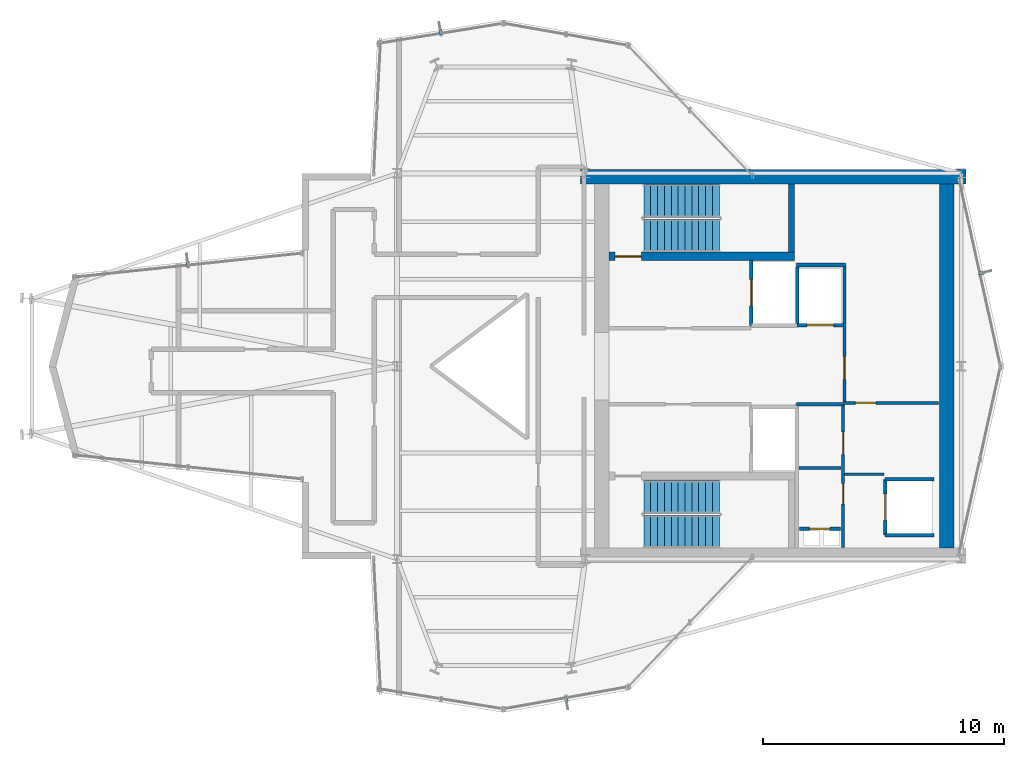
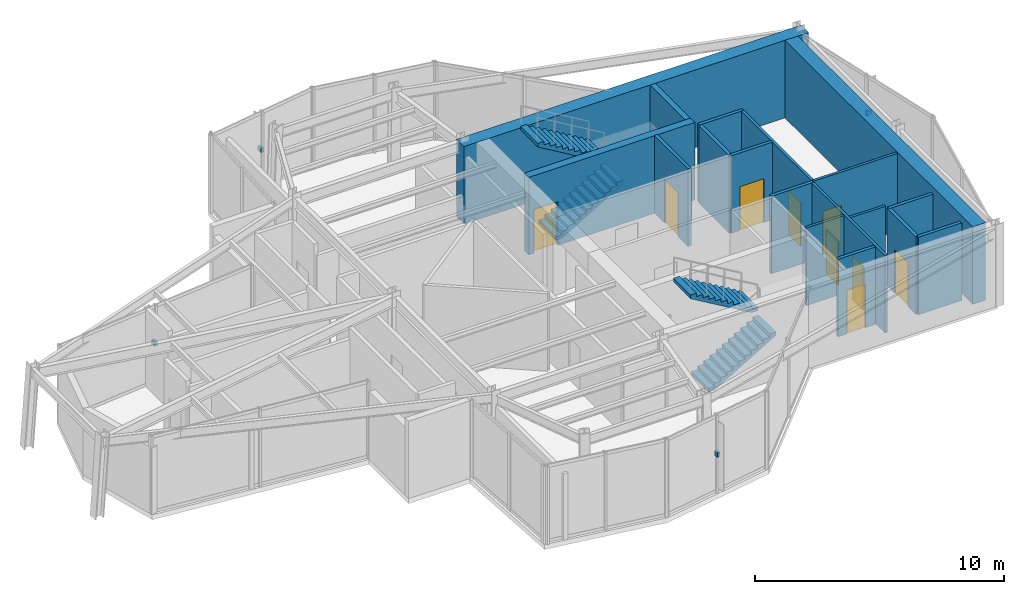
# One storey, part 13 of 14: 18 walls, 9 doors, 4 discrete accessories, 4 stair flights, 9 openings, 2 elements without a shape of their own.
"""IFC4 building model written with IfcOpenShell, lengths in metres."""

from ifc_helpers import new_model, si_unit, direction, frame, frame_2d, origin, origin_2d, place, context, subcontext, project, spatial, polyline, rectangle, outline, extrude, material, layer, layer_set, type_object, element, fill, aggregate, save


model = new_model("IFC4")

# Units and contexts
model_context = context("Model", 3, precision=1e-05, world=origin(), true_north=direction((0.0, 1.0)))
body_context = subcontext(model_context, "Body", "Model", "MODEL_VIEW")
ifc_project = project(units=[si_unit("LENGTHUNIT", "METRE"), si_unit("AREAUNIT", "SQUARE_METRE"), si_unit("VOLUMEUNIT", "CUBIC_METRE"), si_unit("PLANEANGLEUNIT", "RADIAN"), si_unit("MASSUNIT", "GRAM", prefix="KILO")], contexts=[model_context])

# Site, building, storey
site_placement = place(None, origin())
site = spatial("IfcSite", under=ifc_project, at=site_placement, CompositionType="ELEMENT")
building_placement = place(site_placement, origin())
building = spatial("IfcBuilding", under=site, at=building_placement, Name="Veymaron Broadcast Tower", CompositionType="ELEMENT")
storey_placement = place(building_placement, frame((0.0, 0.0, 299.25)))
storey = spatial("IfcBuildingStorey", under=building, at=storey_placement, Name="L70", CompositionType="ELEMENT", Elevation=299.25)

# Wall, opening, door
ifc_material_1 = material(Name="Gypsum fireboard and steel stud framing", Category="steel")
ifc_layer_1 = layer(ifc_material_1, 0.14990234375)
ifc_layer_set_1 = layer_set([ifc_layer_1], Name="Gypsum fireboard and steel stud framing")
wall_type_1 = type_object("IfcWallType", Name="WALL-FIRE-150", PredefinedType="PARTITIONING", material=ifc_layer_set_1)
wall_1_placement = place(storey_placement, frame((45.89501953125, 25.68994140625, 0.0), z_axis=(0.0, 0.0, 1.0), x_axis=(0.0, 1.0, 0.0)))
wall_1 = element("IfcWall", 1, at=wall_1_placement, inside=storey, type_object=wall_type_1, Name="L70 partition IW-L70-SHW-FFL-1", PredefinedType="PARTITIONING", context=body_context, shape_type="SweptSolid", body=[
    extrude(rectangle(XDim=2.719970703125, YDim=0.14990234375, at=frame_2d((1.35986328125, 0.0))), origin(), (0.0, 0.0, 1.0), 3.81005859375),
])
opening_1_placement = place(wall_1_placement, frame((0.81005859375, 0.0, 0.0)))
opening_1 = element("IfcOpeningElement", 2, at=opening_1_placement, cuts=wall_1, Name="Opening LD", PredefinedType="OPENING", context=body_context, shape_type="SweptSolid", body=[
    extrude(rectangle(XDim=1.10009765625, YDim=2.14990234375, at=frame_2d((0.550048828125, 1.074951171875))), frame((0.0, 0.0849609375, 0.0), z_axis=(0.0, -1.0, 0.0), x_axis=(1.0, 0.0, 0.0)), (0.0, 0.0, 1.0), 0.169921875),
])
ifc_material_2 = material(Name="Brushed stainless steel AISI 304", Category="steel")
door_type_1 = type_object("IfcDoorType", Name="DOOR-LIFT-1100", OperationType="DOUBLE_DOOR_SLIDING", PredefinedType="DOOR", material=ifc_material_2)
door_1_placement = place(opening_1_placement, frame((1.10009765625, 0.0, 0.0), z_axis=(0.0, 0.0, 1.0), x_axis=(-1.0, 0.0, 0.0)))
door_1 = element("IfcDoor", 3, at=door_1_placement, inside=storey, type_object=door_type_1, Name="L70 door LD-L70-FFL-1", OperationType="DOUBLE_DOOR_SLIDING", OverallHeight=2.14990234375, OverallWidth=1.10009765625, PredefinedType="DOOR", context=body_context, shape_type="SweptSolid", body=[
    extrude(rectangle(XDim=1.10009765625, YDim=2.14990234375, at=frame_2d((0.550048828125, 1.074951171875))), frame((0.0, 0.02490234375, 0.0), z_axis=(0.0, -1.0, 0.0), x_axis=(1.0, 0.0, 0.0)), (0.0, 0.0, 1.0), 0.050048828125),
])
fill(opening_1, door_1)

wall_2_placement = place(storey_placement, frame((47.7900390625, 25.695068359375, 0.0), z_axis=(0.0, 0.0, 1.0), x_axis=(1.0, 0.0, 0.0)))
wall_2 = element("IfcWall", 4, at=wall_2_placement, inside=storey, type_object=wall_type_1, Name="L70 partition IW-L70-SHS-SL-1", PredefinedType="PARTITIONING", context=body_context, shape_type="SweptSolid", body=[
    extrude(rectangle(XDim=1.919921875, YDim=0.14990234375, at=frame_2d((0.9599609375, 0.0))), origin(), (0.0, 0.0, 1.0), 3.81005859375),
])
opening_2_placement = place(wall_2_placement, frame((0.409912109375, 0.0, 0.0)))
opening_2 = element("IfcOpeningElement", 5, at=opening_2_placement, cuts=wall_2, Name="Opening LD", PredefinedType="OPENING", context=body_context, shape_type="SweptSolid", body=[
    extrude(rectangle(XDim=1.10009765625, YDim=2.14990234375, at=frame_2d((0.550048828125, 1.074951171875))), frame((0.0, 0.0849609375, 0.0), z_axis=(0.0, -1.0, 0.0), x_axis=(1.0, 0.0, 0.0)), (0.0, 0.0, 1.0), 0.169921875),
])
door_2_placement = place(opening_2_placement, frame((1.10009765625, 0.0, 0.0), z_axis=(0.0, 0.0, 1.0), x_axis=(-1.0, 0.0, 0.0)))
door_2 = element("IfcDoor", 6, at=door_2_placement, inside=storey, type_object=door_type_1, Name="L70 door LD-L70-SL-1", OperationType="DOUBLE_DOOR_SLIDING", OverallHeight=2.14990234375, OverallWidth=1.10009765625, PredefinedType="DOOR", context=body_context, shape_type="SweptSolid", body=[
    extrude(rectangle(XDim=1.10009765625, YDim=2.14990234375, at=frame_2d((0.550048828125, 1.074951171875))), frame((0.0, 0.02490234375, 0.0), z_axis=(0.0, -1.0, 0.0), x_axis=(1.0, 0.0, 0.0)), (0.0, 0.0, 1.0), 0.050048828125),
])
fill(opening_2, door_2)

# Wall
wall_3_placement = place(storey_placement, frame((47.7900390625, 25.695068359375, 0.0), z_axis=(0.0, 0.0, 1.0), x_axis=(0.0, 1.0, 0.0)))
element("IfcWall", 7, at=wall_3_placement, inside=storey, type_object=wall_type_1, Name="L70 partition IW-L70-SHW-SL-1", PredefinedType="PARTITIONING", context=body_context, shape_type="SweptSolid", body=[
    extrude(rectangle(XDim=2.4150390625, YDim=0.14990234375, at=frame_2d((1.20751953125, 0.0))), origin(), (0.0, 0.0, 1.0), 3.81005859375),
])

# Wall, opening, door
wall_4_placement = place(storey_placement, frame((51.445068359375, 16.989990234375, 0.0), z_axis=(0.0, 0.0, 1.0), x_axis=(0.0, 1.0, 0.0)))
wall_4 = element("IfcWall", 8, at=wall_4_placement, inside=storey, type_object=wall_type_1, Name="L70 partition IW-L70-SHW-PH1", PredefinedType="PARTITIONING", context=body_context, shape_type="SweptSolid", body=[
    extrude(rectangle(XDim=2.320068359375, YDim=0.14990234375, at=frame_2d((1.16015625, 0.0))), origin(), (0.0, 0.0, 1.0), 3.81005859375),
])
opening_3_placement = place(wall_4_placement, frame((0.610107421875, 0.0, 0.0)))
opening_3 = element("IfcOpeningElement", 9, at=opening_3_placement, cuts=wall_4, Name="Opening LD", PredefinedType="OPENING", context=body_context, shape_type="SweptSolid", body=[
    extrude(rectangle(XDim=1.10009765625, YDim=2.14990234375, at=frame_2d((0.550048828125, 1.074951171875))), frame((0.0, 0.0849609375, 0.0), z_axis=(0.0, -1.0, 0.0), x_axis=(1.0, 0.0, 0.0)), (0.0, 0.0, 1.0), 0.169921875),
])
door_3_placement = place(opening_3_placement, frame((1.10009765625, 0.0, 0.0), z_axis=(0.0, 0.0, 1.0), x_axis=(-1.0, 0.0, 0.0)))
door_3 = element("IfcDoor", 10, at=door_3_placement, inside=storey, type_object=door_type_1, Name="L70 door LD-L70-PH1", OperationType="DOUBLE_DOOR_SLIDING", OverallHeight=2.14990234375, OverallWidth=1.10009765625, PredefinedType="DOOR", context=body_context, shape_type="SweptSolid", body=[
    extrude(rectangle(XDim=1.10009765625, YDim=2.14990234375, at=frame_2d((0.550048828125, 1.074951171875))), frame((0.0, 0.02490234375, 0.0), z_axis=(0.0, -1.0, 0.0), x_axis=(1.0, 0.0, 0.0)), (0.0, 0.0, 1.0), 0.050048828125),
])
fill(opening_3, door_3)

# Walls
for number, where, z_axis, x_axis, name in (
    (11, (51.445068359375, 16.989990234375, 0.0), (0.0, 0.0, 1.0), (1.0, 0.0, 0.0), "L70 partition IW-L70-SHS-PH1"),
    (12, (51.445068359375, 19.31005859375, 0.0), (0.0, 0.0, 1.0), (1.0, 0.0, 0.0), "L70 partition IW-L70-SHN-PH1"),
):
    element("IfcWall", number, at=place(storey_placement, frame(where, z_axis=z_axis, x_axis=x_axis)), inside=storey, type_object=wall_type_1, Name=name, PredefinedType="PARTITIONING", context=body_context, shape_type="SweptSolid", body=[
        extrude(rectangle(XDim=2.014892578125, YDim=0.14990234375, at=frame_2d((1.00732421875, 0.0))), origin(), (0.0, 0.0, 1.0), 3.81005859375),
    ])

# Wall, opening, door
wall_5_placement = place(storey_placement, frame((47.8798828125, 17.260009765625, 0.0), z_axis=(0.0, 0.0, 1.0), x_axis=(1.0, 0.0, 0.0)))
wall_5 = element("IfcWall", 13, at=wall_5_placement, inside=storey, type_object=wall_type_1, Name="L70 partition IW-L70-RIS-N", PredefinedType="PARTITIONING", context=body_context, shape_type="SweptSolid", body=[
    extrude(rectangle(XDim=1.72021484375, YDim=0.14990234375, at=frame_2d((0.860107421875, 0.0))), origin(), (0.0, 0.0, 1.0), 3.81005859375),
])
opening_4_placement = place(wall_5_placement, frame((0.419921875, 0.0, 0.0)))
opening_4 = element("IfcOpeningElement", 14, at=opening_4_placement, cuts=wall_5, Name="Opening ID-RS1", PredefinedType="OPENING", context=body_context, shape_type="SweptSolid", body=[
    extrude(rectangle(XDim=0.85009765625, YDim=2.14990234375, at=frame_2d((0.425048828125, 1.074951171875))), frame((0.0, 0.0849609375, 0.0), z_axis=(0.0, -1.0, 0.0), x_axis=(1.0, 0.0, 0.0)), (0.0, 0.0, 1.0), 0.169921875),
])
ifc_material_3 = material(Name="Fire-rated powder-coated steel riser leaf", Category="steel")
door_type_2 = type_object("IfcDoorType", Name="DOOR-RIS-850", OperationType="NOTDEFINED", PredefinedType="TRAPDOOR", material=ifc_material_3)
door_4_placement = place(opening_4_placement, origin())
door_4 = element("IfcDoor", 15, at=door_4_placement, inside=storey, type_object=door_type_2, Name="L70 door DR-L70-RIS", OperationType="SINGLE_SWING_LEFT", OverallHeight=2.14990234375, OverallWidth=0.85009765625, PredefinedType="TRAPDOOR", context=body_context, shape_type="SweptSolid", body=[
    extrude(rectangle(XDim=0.85009765625, YDim=2.14990234375, at=frame_2d((0.425048828125, 1.074951171875))), frame((0.0, 0.02490234375, 0.0), z_axis=(0.0, -1.0, 0.0), x_axis=(1.0, 0.0, 0.0)), (0.0, 0.0, 1.0), 0.050048828125),
])
fill(opening_4, door_4)

# Walls
wall_6_placement = place(storey_placement, frame((47.760009765625, 22.425048828125, 0.0), z_axis=(0.0, 0.0, 1.0), x_axis=(1.0, 0.0, 0.0)))
element("IfcWall", 16, at=wall_6_placement, inside=storey, type_object=wall_type_1, Name="L70 partition IW-L70-SM-N", PredefinedType="PARTITIONING", context=body_context, shape_type="SweptSolid", body=[
    extrude(rectangle(XDim=1.9599609375, YDim=0.14990234375, at=frame_2d((0.97998046875, 0.0))), origin(), (0.0, 0.0, 1.0), 3.81005859375),
])
wall_7_placement = place(storey_placement, frame((47.760009765625, 28.199951171875, 0.0), z_axis=(0.0, 0.0, 1.0), x_axis=(1.0, 0.0, 0.0)))
element("IfcWall", 17, at=wall_7_placement, inside=storey, type_object=wall_type_1, Name="L70 partition IW-L70-F3-SW", PredefinedType="PARTITIONING", context=body_context, shape_type="SweptSolid", body=[
    extrude(rectangle(XDim=2.0400390625, YDim=0.14990234375, at=frame_2d((1.02001953125, 0.0))), origin(), (0.0, 0.0, 1.0), 3.81005859375),
])
ifc_material_4 = material(Name="Acoustic gypsum board and galvanized stud", Category="gypsum")
ifc_layer_2 = layer(ifc_material_4, 0.1201171875)
ifc_layer_set_2 = layer_set([ifc_layer_2], Name="Acoustic gypsum board and galvanized stud")
wall_type_2 = type_object("IfcWallType", Name="WALL-PART-120", PredefinedType="PARTITIONING", material=ifc_layer_set_2)
wall_8_placement = place(storey_placement, frame((47.860107421875, 19.780029296875, 0.0), z_axis=(0.0, 0.0, 1.0), x_axis=(1.0, 0.0, 0.0)))
element("IfcWall", 18, at=wall_8_placement, inside=storey, type_object=wall_type_2, Name="L70 partition IW-L70-SM-DIV", PredefinedType="PARTITIONING", context=body_context, shape_type="SweptSolid", body=[
    extrude(rectangle(XDim=1.760009765625, YDim=0.1201171875, at=frame_2d((0.8798828125, 0.0))), origin(), (0.0, 0.0, 1.0), 3.81005859375),
])

# Wall, openings, doors
wall_9_placement = place(storey_placement, frame((49.699951171875, 16.47998046875, 0.0), z_axis=(0.0, 0.0, 1.0), x_axis=(0.0, 1.0, 0.0)))
wall_9 = element("IfcWall", 19, at=wall_9_placement, inside=storey, type_object=wall_type_2, Name="L70 partition IW-L70-SM-E", PredefinedType="PARTITIONING", context=body_context, shape_type="SweptSolid", body=[
    extrude(rectangle(XDim=5.945068359375, YDim=0.1201171875, at=frame_2d((2.97265625, 0.0))), origin(), (0.0, 0.0, 1.0), 3.81005859375),
])
opening_5_placement = place(wall_9_placement, frame((1.800048828125, 0.0, 0.0)))
opening_5 = element("IfcOpeningElement", 20, at=opening_5_placement, cuts=wall_9, Name="Opening ID-WC1", PredefinedType="OPENING", context=body_context, shape_type="SweptSolid", body=[
    extrude(rectangle(XDim=0.85009765625, YDim=2.14990234375, at=frame_2d((0.425048828125, 1.074951171875))), frame((0.0, 0.070068359375, 0.0), z_axis=(0.0, -1.0, 0.0), x_axis=(1.0, 0.0, 0.0)), (0.0, 0.0, 1.0), 0.14013671875),
])
opening_6_placement = place(wall_9_placement, frame((3.85009765625, 0.0, 0.0)))
opening_6 = element("IfcOpeningElement", 21, at=opening_6_placement, cuts=wall_9, Name="Opening ID-RM1", PredefinedType="OPENING", context=body_context, shape_type="SweptSolid", body=[
    extrude(rectangle(XDim=0.949951171875, YDim=2.14990234375, at=frame_2d((0.47509765625, 1.074951171875))), frame((0.0, 0.070068359375, 0.0), z_axis=(0.0, -1.0, 0.0), x_axis=(1.0, 0.0, 0.0)), (0.0, 0.0, 1.0), 0.14013671875),
])
ifc_material_5 = material(Name="Moisture-resistant high-pressure laminate timber", Category="wood")
door_type_3 = type_object("IfcDoorType", Name="DOOR-INT-850", OperationType="NOTDEFINED", PredefinedType="DOOR", material=ifc_material_5)
door_5_placement = place(opening_5_placement, frame((0.85009765625, 0.0, 0.0), z_axis=(0.0, 0.0, 1.0), x_axis=(-1.0, 0.0, 0.0)))
door_5 = element("IfcDoor", 22, at=door_5_placement, inside=storey, type_object=door_type_3, Name="L70 door DR-L70-SWC", OperationType="SINGLE_SWING_LEFT", OverallHeight=2.14990234375, OverallWidth=0.85009765625, PredefinedType="DOOR", context=body_context, shape_type="SweptSolid", body=[
    extrude(rectangle(XDim=0.85009765625, YDim=2.14990234375, at=frame_2d((0.425048828125, 1.074951171875))), frame((0.0, 0.02490234375, 0.0), z_axis=(0.0, -1.0, 0.0), x_axis=(1.0, 0.0, 0.0)), (0.0, 0.0, 1.0), 0.050048828125),
])
fill(opening_5, door_5)
ifc_material_6 = material(Name="Acoustic solid-core European oak veneer timber", Category="wood")
door_type_4 = type_object("IfcDoorType", Name="DOOR-INT-950", OperationType="NOTDEFINED", PredefinedType="DOOR", material=ifc_material_6)
door_6_placement = place(opening_6_placement, frame((0.949951171875, 0.0, 0.0), z_axis=(0.0, 0.0, 1.0), x_axis=(-1.0, 0.0, 0.0)))
door_6 = element("IfcDoor", 23, at=door_6_placement, inside=storey, type_object=door_type_4, Name="L70 door DR-L70-AWC", OperationType="SINGLE_SWING_RIGHT", OverallHeight=2.14990234375, OverallWidth=0.949951171875, PredefinedType="DOOR", context=body_context, shape_type="SweptSolid", body=[
    extrude(rectangle(XDim=0.949951171875, YDim=2.14990234375, at=frame_2d((0.47509765625, 1.074951171875))), frame((0.0, 0.02490234375, 0.0), z_axis=(0.0, -1.0, 0.0), x_axis=(1.0, 0.0, 0.0)), (0.0, 0.0, 1.0), 0.050048828125),
])
fill(opening_6, door_6)

# Wall, opening, door
wall_10_placement = place(storey_placement, frame((49.760009765625, 22.47998046875, 0.0), z_axis=(0.0, 0.0, 1.0), x_axis=(1.0, 0.0, 0.0)))
wall_10 = element("IfcWall", 24, at=wall_10_placement, inside=storey, type_object=wall_type_2, Name="L70 partition IW-L70-F3S-N", PredefinedType="PARTITIONING", context=body_context, shape_type="SweptSolid", body=[
    extrude(rectangle(XDim=3.89990234375, YDim=0.1201171875, at=frame_2d((1.949951171875, 0.0))), origin(), (0.0, 0.0, 1.0), 3.81005859375),
])
opening_7_placement = place(wall_10_placement, frame((0.449951171875, 0.0, 0.0)))
opening_7 = element("IfcOpeningElement", 25, at=opening_7_placement, cuts=wall_10, Name="Opening ID-WC1", PredefinedType="OPENING", context=body_context, shape_type="SweptSolid", body=[
    extrude(rectangle(XDim=0.85009765625, YDim=2.14990234375, at=frame_2d((0.425048828125, 1.074951171875))), frame((0.0, 0.070068359375, 0.0), z_axis=(0.0, -1.0, 0.0), x_axis=(1.0, 0.0, 0.0)), (0.0, 0.0, 1.0), 0.14013671875),
])
door_7_placement = place(opening_7_placement, frame((0.85009765625, 0.0, 0.0), z_axis=(0.0, 0.0, 1.0), x_axis=(-1.0, 0.0, 0.0)))
door_7 = element("IfcDoor", 26, at=door_7_placement, inside=storey, type_object=door_type_3, Name="L70 door DR-L70-F3S", OperationType="SINGLE_SWING_LEFT", OverallHeight=2.14990234375, OverallWidth=0.85009765625, PredefinedType="DOOR", context=body_context, shape_type="SweptSolid", body=[
    extrude(rectangle(XDim=0.85009765625, YDim=2.14990234375, at=frame_2d((0.425048828125, 1.074951171875))), frame((0.0, 0.02490234375, 0.0), z_axis=(0.0, -1.0, 0.0), x_axis=(1.0, 0.0, 0.0)), (0.0, 0.0, 1.0), 0.050048828125),
])
fill(opening_7, door_7)

# Wall
wall_11_placement = place(storey_placement, frame((49.760009765625, 19.52001953125, 0.0), z_axis=(0.0, 0.0, 1.0), x_axis=(1.0, 0.0, 0.0)))
element("IfcWall", 27, at=wall_11_placement, inside=storey, type_object=wall_type_2, Name="L70 partition IW-L70-F3S-S", PredefinedType="PARTITIONING", context=body_context, shape_type="SweptSolid", body=[
    extrude(rectangle(XDim=1.639892578125, YDim=0.1201171875, at=frame_2d((0.81982421875, 0.0))), origin(), (0.0, 0.0, 1.0), 3.81005859375),
])

# Wall, opening, door
wall_12_placement = place(storey_placement, frame((49.760009765625, 22.5, 0.0), z_axis=(0.0, 0.0, 1.0), x_axis=(0.0, 1.0, 0.0)))
wall_12 = element("IfcWall", 28, at=wall_12_placement, inside=storey, type_object=wall_type_2, Name="L70 partition IW-L70-F3-W", PredefinedType="PARTITIONING", context=body_context, shape_type="SweptSolid", body=[
    extrude(rectangle(XDim=5.719970703125, YDim=0.1201171875, at=frame_2d((2.85986328125, 0.0))), origin(), (0.0, 0.0, 1.0), 3.81005859375),
])
opening_8_placement = place(wall_12_placement, frame((0.949951171875, 0.0, 0.0)))
opening_8 = element("IfcOpeningElement", 29, at=opening_8_placement, cuts=wall_12, Name="Opening ID-RM1", PredefinedType="OPENING", context=body_context, shape_type="SweptSolid", body=[
    extrude(rectangle(XDim=0.949951171875, YDim=2.14990234375, at=frame_2d((0.47509765625, 1.074951171875))), frame((0.0, 0.070068359375, 0.0), z_axis=(0.0, -1.0, 0.0), x_axis=(1.0, 0.0, 0.0)), (0.0, 0.0, 1.0), 0.14013671875),
])
door_8_placement = place(opening_8_placement, origin())
door_8 = element("IfcDoor", 30, at=door_8_placement, inside=storey, type_object=door_type_4, Name="L70 door DR-L70-F3A", OperationType="SINGLE_SWING_LEFT", OverallHeight=2.14990234375, OverallWidth=0.949951171875, PredefinedType="DOOR", context=body_context, shape_type="SweptSolid", body=[
    extrude(rectangle(XDim=0.949951171875, YDim=2.14990234375, at=frame_2d((0.47509765625, 1.074951171875))), frame((0.0, 0.02490234375, 0.0), z_axis=(0.0, -1.0, 0.0), x_axis=(1.0, 0.0, 0.0)), (0.0, 0.0, 1.0), 0.050048828125),
])
fill(opening_8, door_8)

# Wall
ifc_material_7 = material(Name="Concrete C50/60", Category="concrete")
ifc_layer_3 = layer(ifc_material_7, 0.25)
ifc_layer_set_3 = layer_set([ifc_layer_3], Name="Concrete C50/60")
wall_type_3 = type_object("IfcWallType", Name="WALL-SHEAR-250", PredefinedType="SHEAR", material=ifc_layer_set_3)
wall_13_placement = place(storey_placement, frame((47.56494140625, 28.72998046875, 0.0), z_axis=(0.0, 0.0, 1.0), x_axis=(0.0, 1.0, 0.0)))
element("IfcWall", 31, at=wall_13_placement, inside=storey, type_object=wall_type_3, Name="L70 Core Wall north stair east shear", PredefinedType="SHEAR", context=body_context, shape_type="SweptSolid", body=[
    extrude(rectangle(XDim=2.820068359375, YDim=0.25, at=frame_2d((1.41015625, 0.0))), origin(), (0.0, 0.0, 1.0), 3.81005859375),
])

# Wall, opening, door
ifc_layer_4 = layer(ifc_material_7, 0.35009765625)
ifc_layer_set_4 = layer_set([ifc_layer_4], Name="Concrete C50/60")
wall_type_4 = type_object("IfcWallType", Name="WALL-SHEAR-350", PredefinedType="SHEAR", material=ifc_layer_set_4)
wall_14_placement = place(storey_placement, frame((39.97998046875, 28.554931640625, 0.0), z_axis=(0.0, 0.0, 1.0), x_axis=(1.0, 0.0, 0.0)))
wall_14 = element("IfcWall", 32, at=wall_14_placement, inside=storey, type_object=wall_type_4, Name="L70 Core Wall north stair spine", PredefinedType="SHEAR", context=body_context, shape_type="SweptSolid", body=[
    extrude(rectangle(XDim=7.7099609375, YDim=0.35009765625, at=frame_2d((3.85498046875, 0.0))), origin(), (0.0, 0.0, 1.0), 3.81005859375),
])
opening_9_placement = place(wall_14_placement, frame((0.25, 0.0, 0.0)))
opening_9 = element("IfcOpeningElement", 33, at=opening_9_placement, cuts=wall_14, Name="Opening ID-ST1", PredefinedType="OPENING", context=body_context, shape_type="SweptSolid", body=[
    extrude(rectangle(XDim=1.10009765625, YDim=2.14990234375, at=frame_2d((0.550048828125, 1.074951171875))), frame((0.0, 0.18505859375, 0.0), z_axis=(0.0, -1.0, 0.0), x_axis=(1.0, 0.0, 0.0)), (0.0, 0.0, 1.0), 0.3701171875),
])
ifc_material_8 = material(Name="Fire-rated painted hollow steel ASTM A653", Category="steel")
door_type_5 = type_object("IfcDoorType", Name="DOOR-STAIR-1100", OperationType="NOTDEFINED", PredefinedType="DOOR", material=ifc_material_8)
door_9_placement = place(opening_9_placement, origin())
door_9 = element("IfcDoor", 34, at=door_9_placement, inside=storey, type_object=door_type_5, Name="L70 exit stair ST1 fire door", OperationType="SINGLE_SWING_LEFT", OverallHeight=2.14990234375, OverallWidth=1.10009765625, PredefinedType="DOOR", context=body_context, shape_type="SweptSolid", body=[
    extrude(rectangle(XDim=1.10009765625, YDim=2.14990234375, at=frame_2d((0.550048828125, 1.074951171875))), frame((0.0, 0.02490234375, 0.0), z_axis=(0.0, -1.0, 0.0), x_axis=(1.0, 0.0, 0.0)), (0.0, 0.0, 1.0), 0.050048828125),
])
fill(opening_9, door_9)

# Walls
ifc_layer_5 = layer(ifc_material_7, 0.60009765625)
ifc_layer_set_5 = layer_set([ifc_layer_5], Name="Concrete C50/60")
wall_type_5 = type_object("IfcWallType", Name="WALL-SHEAR-600", PredefinedType="SHEAR", material=ifc_layer_set_5)
wall_15_placement = place(storey_placement, frame((38.800048828125, 31.85009765625, 0.0), z_axis=(0.0, 0.0, 1.0), x_axis=(1.0, 0.0, 0.0)))
element("IfcWall", 35, at=wall_15_placement, inside=storey, type_object=wall_type_5, Name="L70 Core Wall north shear", PredefinedType="SHEAR", context=body_context, shape_type="SweptSolid", body=[
    extrude(rectangle(XDim=16.0, YDim=0.60009765625, at=frame_2d((8.0, 0.0))), origin(), (0.0, 0.0, 1.0), 3.81005859375),
])
wall_16_placement = place(storey_placement, frame((54.0, 16.449951171875, 0.0), z_axis=(0.0, 0.0, 1.0), x_axis=(0.0, 1.0, 0.0)))
element("IfcWall", 36, at=wall_16_placement, inside=storey, type_object=wall_type_5, Name="L70 Core Wall east shear", PredefinedType="SHEAR", context=body_context, shape_type="SweptSolid", body=[
    extrude(rectangle(XDim=15.10009765625, YDim=0.60009765625, at=frame_2d((7.550048828125, 0.0))), origin(), (0.0, 0.0, 1.0), 3.81005859375),
])

# Stair, stair flights
stair_type_1 = type_object("IfcStairType", Name="STAIR-CORE-1", PredefinedType="HALF_TURN_STAIR", material=ifc_material_7)
stair_1_placement = place(storey_placement, origin())
stair_1 = element("IfcStair", 37, at=stair_1_placement, inside=storey, type_object=stair_type_1, Name="L70 North protected dog-leg exit stair ST1", PredefinedType="HALF_TURN_STAIR")
ifc_material_9 = material(Name="Precast concrete C50/60", Category="concrete")
stair_flight_type = type_object("IfcStairFlightType", Name="FLT-CORE-RC", PredefinedType="STRAIGHT", material=ifc_material_9)
stair_flight_1_placement = place(storey_placement, frame((41.429931640625, 29.419921875, 0.0), z_axis=(0.0, 0.0, 1.0), x_axis=(1.0, 0.0, 0.0)))
stair_flight_1 = element("IfcStairFlight", 38, at=stair_flight_1_placement, type_object=stair_flight_type, Name="ST1 flight 1", NumberOfRisers=12, NumberOfTreads=11, PredefinedType="STRAIGHT", RiserHeight=0.16875, TreadLength=0.285, context=body_context, shape_type="SweptSolid", body=[
    extrude(outline(polyline([(0.0, 0.0), (0.0, 0.168701171875), (0.284912109375, 0.168701171875), (0.284912109375, 0.33740234375), (0.570068359375, 0.33740234375), (0.570068359375, 0.50634765625), (0.85498046875, 0.50634765625), (0.85498046875, 0.675048828125), (1.139892578125, 0.675048828125), (1.139892578125, 0.84375), (1.425048828125, 0.84375), (1.425048828125, 1.012451171875), (1.7099609375, 1.012451171875), (1.7099609375, 1.18115234375), (1.9951171875, 1.18115234375), (1.9951171875, 1.35009765625), (2.280029296875, 1.35009765625), (2.280029296875, 1.518798828125), (2.56494140625, 1.518798828125), (2.56494140625, 1.6875), (2.85009765625, 1.6875), (2.85009765625, 1.856201171875), (3.135009765625, 1.856201171875), (3.135009765625, 2.02490234375), (3.135009765625, 1.68212890625), (0.294189453125, 0.0), (0.0, 0.0)])), frame((0.0, 0.68994140625, 0.0), z_axis=(0.0, -1.0, 0.0), x_axis=(1.0, 0.0, 0.0)), (0.0, 0.0, 1.0), 1.3798828125),
])
stair_flight_2_placement = place(storey_placement, frame((44.56494140625, 30.860107421875, 2.02490234375), z_axis=(0.0, 0.0, 1.0), x_axis=(-1.0, 0.0, 0.0)))
stair_flight_2 = element("IfcStairFlight", 39, at=stair_flight_2_placement, type_object=stair_flight_type, Name="ST1 flight 2", NumberOfRisers=12, NumberOfTreads=11, PredefinedType="STRAIGHT", RiserHeight=0.16875, TreadLength=0.285, context=body_context, shape_type="SweptSolid", body=[
    extrude(outline(polyline([(0.0, 0.0), (0.0, 0.168701171875), (0.284912109375, 0.168701171875), (0.284912109375, 0.33740234375), (0.570068359375, 0.33740234375), (0.570068359375, 0.50634765625), (0.85498046875, 0.50634765625), (0.85498046875, 0.675048828125), (1.139892578125, 0.675048828125), (1.139892578125, 0.84375), (1.425048828125, 0.84375), (1.425048828125, 1.012451171875), (1.7099609375, 1.012451171875), (1.7099609375, 1.18115234375), (1.9951171875, 1.18115234375), (1.9951171875, 1.35009765625), (2.280029296875, 1.35009765625), (2.280029296875, 1.518798828125), (2.56494140625, 1.518798828125), (2.56494140625, 1.6875), (2.85009765625, 1.6875), (2.85009765625, 1.856201171875), (3.135009765625, 1.856201171875), (3.135009765625, 2.02490234375), (3.135009765625, 1.68212890625), (0.294189453125, 0.0), (0.0, 0.0)])), frame((0.0, 0.68994140625, 0.0), z_axis=(0.0, -1.0, 0.0), x_axis=(1.0, 0.0, 0.0)), (0.0, 0.0, 1.0), 1.3798828125),
])
aggregate(stair_1, [stair_flight_1, stair_flight_2])

stair_type_2 = type_object("IfcStairType", Name="STAIR-CORE-2", PredefinedType="HALF_TURN_STAIR", material=ifc_material_7)
stair_2_placement = place(storey_placement, origin())
stair_2 = element("IfcStair", 40, at=stair_2_placement, inside=storey, type_object=stair_type_2, Name="L70 South protected dog-leg exit stair ST2", PredefinedType="HALF_TURN_STAIR")
stair_flight_3_placement = place(storey_placement, frame((41.429931640625, 17.139892578125, 0.0), z_axis=(0.0, 0.0, 1.0), x_axis=(1.0, 0.0, 0.0)))
stair_flight_3 = element("IfcStairFlight", 41, at=stair_flight_3_placement, type_object=stair_flight_type, Name="ST2 flight 1", NumberOfRisers=12, NumberOfTreads=11, PredefinedType="STRAIGHT", RiserHeight=0.16875, TreadLength=0.285, context=body_context, shape_type="SweptSolid", body=[
    extrude(outline(polyline([(0.0, 0.0), (0.0, 0.168701171875), (0.284912109375, 0.168701171875), (0.284912109375, 0.33740234375), (0.570068359375, 0.33740234375), (0.570068359375, 0.50634765625), (0.85498046875, 0.50634765625), (0.85498046875, 0.675048828125), (1.139892578125, 0.675048828125), (1.139892578125, 0.84375), (1.425048828125, 0.84375), (1.425048828125, 1.012451171875), (1.7099609375, 1.012451171875), (1.7099609375, 1.18115234375), (1.9951171875, 1.18115234375), (1.9951171875, 1.35009765625), (2.280029296875, 1.35009765625), (2.280029296875, 1.518798828125), (2.56494140625, 1.518798828125), (2.56494140625, 1.6875), (2.85009765625, 1.6875), (2.85009765625, 1.856201171875), (3.135009765625, 1.856201171875), (3.135009765625, 2.02490234375), (3.135009765625, 1.68212890625), (0.294189453125, 0.0), (0.0, 0.0)])), frame((0.0, 0.68994140625, 0.0), z_axis=(0.0, -1.0, 0.0), x_axis=(1.0, 0.0, 0.0)), (0.0, 0.0, 1.0), 1.3798828125),
])
stair_flight_4_placement = place(storey_placement, frame((44.56494140625, 18.580078125, 2.02490234375), z_axis=(0.0, 0.0, 1.0), x_axis=(-1.0, 0.0, 0.0)))
stair_flight_4 = element("IfcStairFlight", 42, at=stair_flight_4_placement, type_object=stair_flight_type, Name="ST2 flight 2", NumberOfRisers=12, NumberOfTreads=11, PredefinedType="STRAIGHT", RiserHeight=0.16875, TreadLength=0.285, context=body_context, shape_type="SweptSolid", body=[
    extrude(outline(polyline([(0.0, 0.0), (0.0, 0.168701171875), (0.284912109375, 0.168701171875), (0.284912109375, 0.33740234375), (0.570068359375, 0.33740234375), (0.570068359375, 0.50634765625), (0.85498046875, 0.50634765625), (0.85498046875, 0.675048828125), (1.139892578125, 0.675048828125), (1.139892578125, 0.84375), (1.425048828125, 0.84375), (1.425048828125, 1.012451171875), (1.7099609375, 1.012451171875), (1.7099609375, 1.18115234375), (1.9951171875, 1.18115234375), (1.9951171875, 1.35009765625), (2.280029296875, 1.35009765625), (2.280029296875, 1.518798828125), (2.56494140625, 1.518798828125), (2.56494140625, 1.6875), (2.85009765625, 1.6875), (2.85009765625, 1.856201171875), (3.135009765625, 1.856201171875), (3.135009765625, 2.02490234375), (3.135009765625, 1.68212890625), (0.294189453125, 0.0), (0.0, 0.0)])), frame((0.0, 0.68994140625, 0.0), z_axis=(0.0, -1.0, 0.0), x_axis=(1.0, 0.0, 0.0)), (0.0, 0.0, 1.0), 1.3798828125),
])
aggregate(stair_2, [stair_flight_3, stair_flight_4])

# Discrete accessories
ifc_material_10 = material(Name="Austenitic stainless steel AISI 316L", Category="steel")
ifc_layer_6 = layer(ifc_material_10, 0.1201171875)
ifc_layer_set_6 = layer_set([ifc_layer_6], Name="Austenitic stainless steel AISI 316L")
discrete_accessory_type = type_object("IfcDiscreteAccessoryType", Name="ACC-BRKT-SS1", PredefinedType="BRACKET", material=ifc_layer_set_6)
for number, where, z_axis, x_axis, name in (
    (43, (55.433837890625, 27.866455078125, 1.794921875), (0.0, 0.0, 1.0), (0.976326218274, 0.21630329519, 0.0), "CW-L70-E3-1 fin bracket 1"),
    (44, (33.004638671875, 37.860107421875, 1.794921875), (0.0, 0.0, 1.0), (-0.15917476692, 0.987250420904, 0.0), "CW-L70-E7-1 fin bracket 1"),
    (45, (22.51318359375, 28.24462890625, 1.794921875), (0.0, 0.0, 1.0), (-0.104563178567, 0.994518246031, 0.0), "CW-L70-E11-1 fin bracket 1"),
    (46, (38.212646484375, 10.181640625, 1.794921875), (0.0, 0.0, 1.0), (0.174627815429, -0.984634513959, 0.0), "CW-L70-E19-1 fin bracket 1"),
):
    element("IfcDiscreteAccessory", number, at=place(storey_placement, frame(where, z_axis=z_axis, x_axis=x_axis)), inside=storey, type_object=discrete_accessory_type, Name=name, PredefinedType="BRACKET", context=body_context, shape_type="SweptSolid", body=[
        extrude(rectangle(XDim=0.219970703125, YDim=0.139892578125, at=origin_2d()), origin(), (0.0, 0.0, 1.0), 0.219970703125),
    ])

save(model, "model.ifc")
